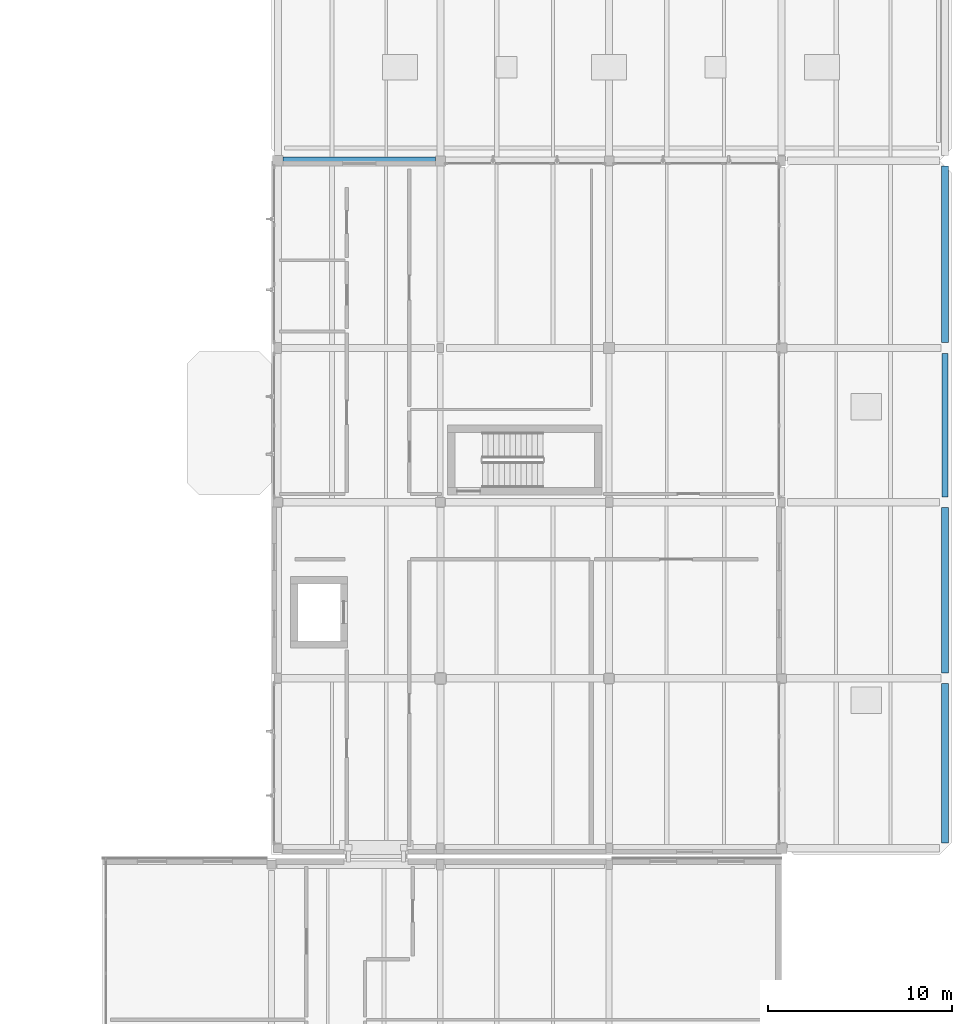
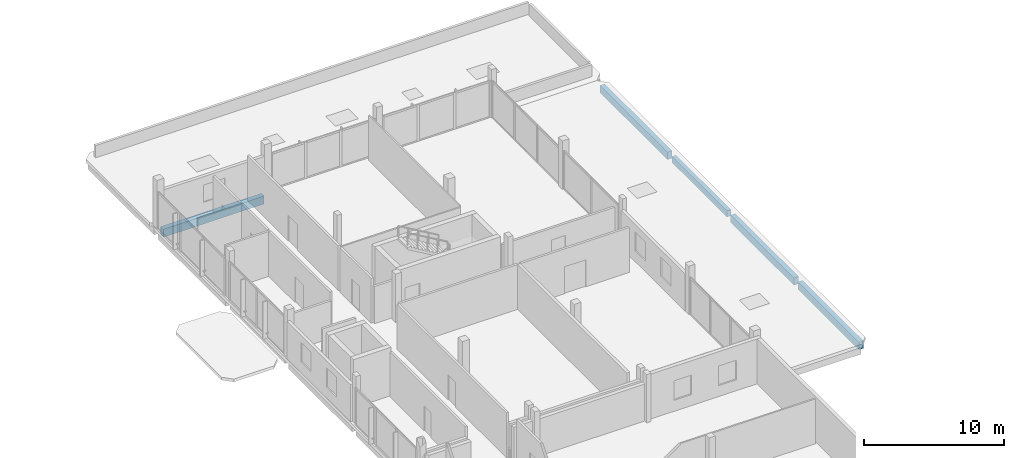
# One storey, part 30 of 66: 5 beams.
"""IFC4 building model written with IfcOpenShell, lengths in metres."""

from ifc_helpers import new_model, si_unit, direction, frame, origin, origin_2d, place, context, subcontext, project, spatial, rectangle, extrude, material, material_profile, profile_set, type_object, element, save


model = new_model("IFC4")

# Units and contexts
model_context = context("Model", 3, precision=1e-05, world=origin(), true_north=direction((0.0, 1.0)))
body_context = subcontext(model_context, "Body", "Model", "MODEL_VIEW")
ifc_project = project(units=[si_unit("LENGTHUNIT", "METRE"), si_unit("AREAUNIT", "SQUARE_METRE"), si_unit("VOLUMEUNIT", "CUBIC_METRE"), si_unit("PLANEANGLEUNIT", "RADIAN"), si_unit("MASSUNIT", "GRAM", prefix="KILO")], contexts=[model_context])

# Site, building, storey
site_placement = place(None, origin())
site = spatial("IfcSite", under=ifc_project, at=site_placement, CompositionType="ELEMENT")
building_placement = place(site_placement, origin())
building = spatial("IfcBuilding", under=site, at=building_placement, Name="Birchvale Park Specialist Clinic", CompositionType="ELEMENT")
storey_placement = place(building_placement, frame((0.0, 0.0, 5.39990234375)))
storey = spatial("IfcBuildingStorey", under=building, at=storey_placement, Name="L01", CompositionType="ELEMENT", Elevation=5.39990234375)

# Beams
ifc_material = material(Name="Concrete C40/50", Category="concrete")
ifc_material_profile_1 = material_profile(ifc_material, rectangle(XDim=0.39990234375, YDim=0.68994140625, at=origin_2d()), Name="RCB-400x690")
ifc_profile_set_1 = profile_set([ifc_material_profile_1], Name="Concrete C40/50")
beam_type_1 = type_object("IfcBeamType", Name="BM-EXT-BG4", PredefinedType="BEAM", material=ifc_profile_set_1)
beam_1_placement = place(storey_placement, frame((128.639892578125, 101.39990234375, -0.64501953125), z_axis=(1.0, 0.0, 0.0), x_axis=(0.0, 1.0, 0.0)))
element("IfcBeam", 1, at=beam_1_placement, inside=storey, type_object=beam_type_1, Name="V6 L01 X girder 17", PredefinedType="BEAM", context=body_context, shape_type="SweptSolid", body=[
    extrude(rectangle(XDim=0.39990234375, YDim=0.68994140625, at=origin_2d()), origin(), (0.0, 0.0, 1.0), 8.28515625),
])
ifc_material_profile_2 = material_profile(ifc_material, rectangle(XDim=0.3798828125, YDim=0.639892578125, at=origin_2d()), Name="RCB-380x640")
ifc_profile_set_2 = profile_set([ifc_material_profile_2], Name="Concrete C40/50")
beam_type_2 = type_object("IfcBeamType", Name="BM-EXT-BG5", PredefinedType="BEAM", material=ifc_profile_set_2)
beam_2_placement = place(storey_placement, frame((164.699951171875, 64.239990234375, -0.594970703125), z_axis=(0.0, 1.0, 0.0), x_axis=(-1.0, 0.0, 0.0)))
element("IfcBeam", 2, at=beam_2_placement, inside=storey, type_object=beam_type_2, Name="V6 L01 Y girder 45", PredefinedType="BEAM", context=body_context, shape_type="SweptSolid", body=[
    extrude(rectangle(XDim=0.3798828125, YDim=0.639892578125, at=origin_2d()), origin(), (0.0, 0.0, 1.0), 8.669921875),
])
beam_3_placement = place(storey_placement, frame((164.699951171875, 73.489990234375, -0.594970703125), z_axis=(0.0, 1.0, 0.0), x_axis=(-1.0, 0.0, 0.0)))
element("IfcBeam", 3, at=beam_3_placement, inside=storey, type_object=beam_type_2, Name="V6 L01 Y girder 46", PredefinedType="BEAM", context=body_context, shape_type="SweptSolid", body=[
    extrude(rectangle(XDim=0.3798828125, YDim=0.639892578125, at=origin_2d()), origin(), (0.0, 0.0, 1.0), 9.02001953125),
])
beam_4_placement = place(storey_placement, frame((164.699951171875, 91.489990234375, -0.594970703125), z_axis=(0.0, 1.0, 0.0), x_axis=(-1.0, 0.0, 0.0)))
element("IfcBeam", 4, at=beam_4_placement, inside=storey, type_object=beam_type_2, Name="V6 L01 Y girder 48", PredefinedType="BEAM", context=body_context, shape_type="SweptSolid", body=[
    extrude(rectangle(XDim=0.3798828125, YDim=0.639892578125, at=origin_2d()), origin(), (0.0, 0.0, 1.0), 9.6201171875),
])
ifc_material_profile_3 = material_profile(ifc_material, rectangle(XDim=0.320068359375, YDim=0.5400390625, at=origin_2d()), Name="RCB-320x540")
ifc_profile_set_3 = profile_set([ifc_material_profile_3], Name="Concrete C40/50")
beam_type_3 = type_object("IfcBeamType", Name="BM-EXT-BG7", PredefinedType="BEAM", material=ifc_profile_set_3)
beam_5_placement = place(storey_placement, frame((164.699951171875, 83.090087890625, -0.544921875), z_axis=(0.0, 1.0, 0.0), x_axis=(-1.0, 0.0, 0.0)))
element("IfcBeam", 5, at=beam_5_placement, inside=storey, type_object=beam_type_3, Name="V6 L01 Y girder 47", PredefinedType="BEAM", context=body_context, shape_type="SweptSolid", body=[
    extrude(rectangle(XDim=0.320068359375, YDim=0.5400390625, at=origin_2d()), origin(), (0.0, 0.0, 1.0), 7.81982421875),
])

save(model, "model.ifc")
